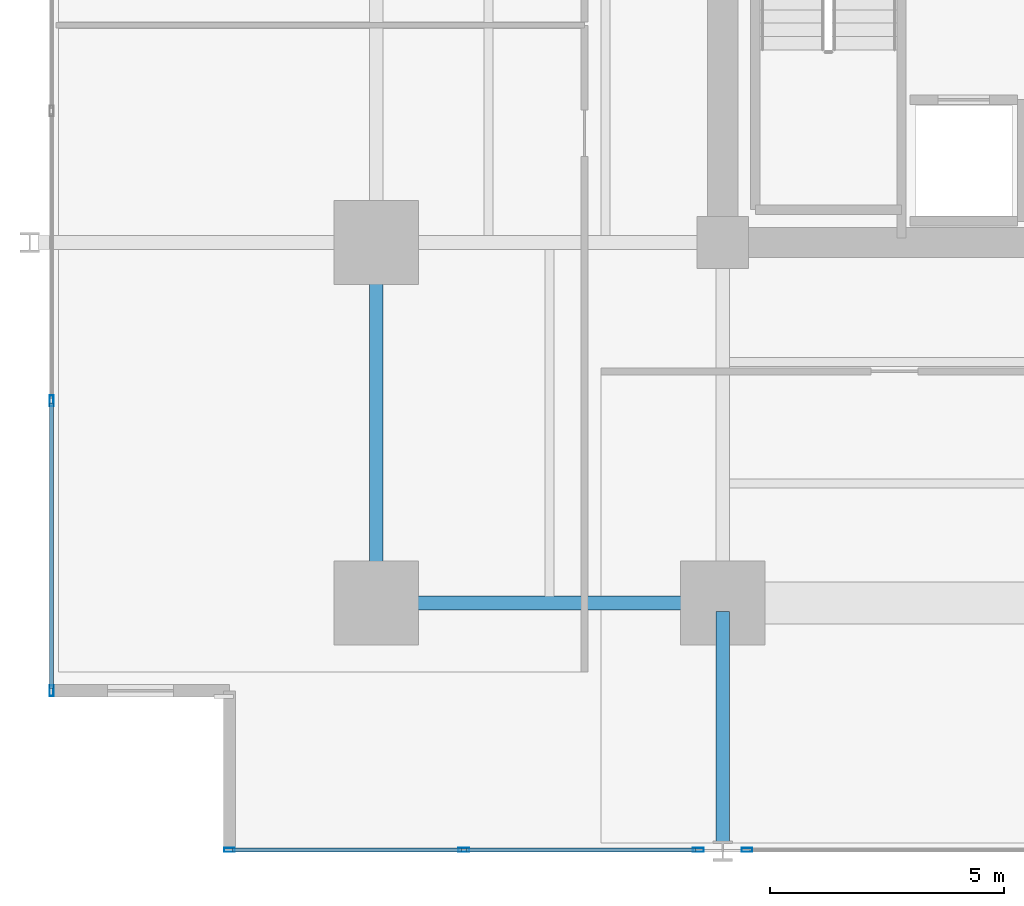
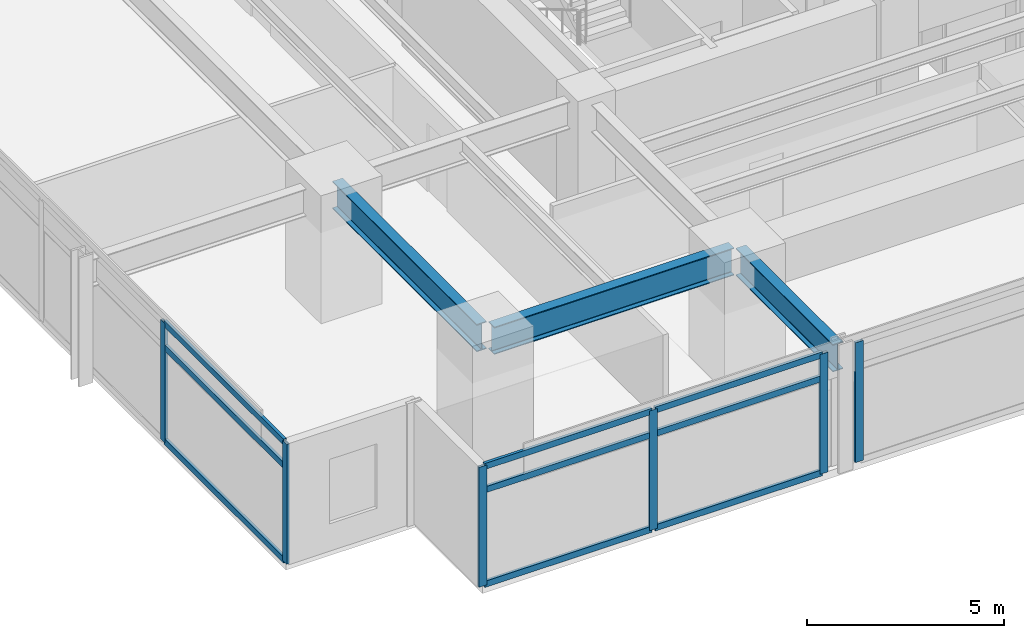
# One storey, part 2 of 22: 15 members, 3 beams, 3 elements without a shape of their own.
"""IFC4 building model written with IfcOpenShell, lengths in metres."""

import ifcopenshell
import ifcopenshell.guid

model = None  # the IFC model being written
_history = None  # IfcOwnerHistory: only IFC2X3 demands one
_inside = {}  # id of a spatial element -> (the spatial element, [elements in it])
_under = {}  # id of a project, library or spatial element -> (it, [spatial elements below it])
_declared = {}  # id of a project -> (the project, [libraries it declares])
_typed = {}  # id of a type object -> (the type object, [elements of that type])
_made_of = {}  # id of a material, layer set ... -> (it, [elements and type objects made of it])


def new_model(schema):
    """Start an empty IFC model of exactly this schema.

    Asked for "IFC4X3", IfcOpenShell would pick the latest addendum, in which some entities
    have other attributes; the version numbers below select the first issue.
    IFC2X3 requires an IfcOwnerHistory on every rooted entity: one is made here for all.
    """
    global model, _history
    if schema == "IFC4X3":
        model = ifcopenshell.file(schema_version=(4, 3, 0, 0))
    else:
        model = ifcopenshell.file(schema=schema)
    _inside.clear()
    _under.clear()
    _declared.clear()
    _typed.clear()
    _made_of.clear()
    _history = None
    if model.schema == "IFC2X3":
        org = make("IfcOrganization", Name="unknown")
        user = make(
            "IfcPersonAndOrganization",
            ThePerson=make("IfcPerson", FamilyName="unknown"),
            TheOrganization=org,
        )
        app = make(
            "IfcApplication",
            ApplicationDeveloper=org,
            Version="unknown",
            ApplicationFullName="unknown",
            ApplicationIdentifier="unknown",
        )
        _history = make(
            "IfcOwnerHistory",
            OwningUser=user,
            OwningApplication=app,
            ChangeAction="ADDED",
            CreationDate=0,
        )
    return model


def make(cls, **values):
    """One entity of the class cls with the attributes given. An attribute that is None is left unset."""
    return model.create_entity(
        cls, **{name: value for name, value in values.items() if value is not None}
    )


def rooted(cls, **values):
    """An entity with a GlobalId (a new one), such as an element, a storey or a relation."""
    return make(cls, GlobalId=ifcopenshell.guid.new(), OwnerHistory=_history, **values)


def si_unit(unit_type, name, prefix=None):
    """IfcSIUnit, for example si_unit("LENGTHUNIT", "METRE", prefix="MILLI")."""
    return make("IfcSIUnit", UnitType=unit_type, Prefix=prefix, Name=name)


def assignment(units):
    """IfcUnitAssignment: the units of a project."""
    return None if units is None else make("IfcUnitAssignment", Units=units)


def point(xyz):
    """IfcCartesianPoint."""
    return None if xyz is None else make("IfcCartesianPoint", Coordinates=xyz)


def direction(xyz):
    """IfcDirection."""
    return None if xyz is None else make("IfcDirection", DirectionRatios=xyz)


def frame(location, z_axis=None, x_axis=None):
    """IfcAxis2Placement3D, a coordinate frame: its origin and axes. An axis left out is left unset."""
    return make(
        "IfcAxis2Placement3D",
        Location=point(location),
        Axis=direction(z_axis),
        RefDirection=direction(x_axis),
    )


def frame_2d(location, x_axis=None):
    """IfcAxis2Placement2D, a coordinate frame in the plane: its origin and x axis."""
    return make(
        "IfcAxis2Placement2D", Location=point(location), RefDirection=direction(x_axis)
    )


def origin():
    """The frame at (0, 0, 0) with its axes left unset."""
    return frame((0.0, 0.0, 0.0))


def origin_2d():
    """The frame at (0, 0) in the plane with its x axis left unset."""
    return frame_2d((0.0, 0.0))


def place(relative_to, where):
    """IfcLocalPlacement: puts the frame where relative to a parent placement (None: the world)."""
    return make(
        "IfcLocalPlacement", PlacementRelTo=relative_to, RelativePlacement=where
    )


def context(
    kind, dimensions, precision=None, world=None, true_north=None, identifier=None
):
    """IfcGeometricRepresentationContext, for example the 3D "Model" context."""
    return make(
        "IfcGeometricRepresentationContext",
        ContextIdentifier=identifier,
        ContextType=kind,
        CoordinateSpaceDimension=dimensions,
        Precision=precision,
        WorldCoordinateSystem=world,
        TrueNorth=true_north,
    )


def subcontext(parent, identifier, kind, view, scale=None):
    """IfcGeometricRepresentationSubContext, for example "Body" below "Model"."""
    return make(
        "IfcGeometricRepresentationSubContext",
        ContextIdentifier=identifier,
        ContextType=kind,
        ParentContext=parent,
        TargetScale=scale,
        TargetView=view,
    )


def project(units=None, contexts=None):
    """IfcProject with its units and contexts."""
    return rooted(
        "IfcProject",
        Name="project",
        RepresentationContexts=contexts,
        UnitsInContext=assignment(units),
    )


def spatial(cls, under=None, at=None, **own):
    """A site, building, storey or space (cls), placed at a placement, below another one or the project."""
    s = rooted(cls, ObjectPlacement=at, **own)
    if under is not None:
        _under.setdefault(under.id(), (under, []))[1].append(s)
    return s


def profile(cls, at=None, kind="AREA", **sizes):
    """A parametric profile (cls). Its sizes go by their IFC names, for example OverallWidth=200.0."""
    return make(cls, ProfileType=kind, Position=at, **sizes)


def hollow_rectangle(**sizes):
    """IfcRectangleHollowProfileDef."""
    return profile("IfcRectangleHollowProfileDef", **sizes)


def i_section(**sizes):
    """IfcIShapeProfileDef."""
    return profile("IfcIShapeProfileDef", **sizes)


def extrude(swept, where, along, depth):
    """IfcExtrudedAreaSolid: the profile swept, set in the frame where, extruded along a direction by depth."""
    return make(
        "IfcExtrudedAreaSolid",
        SweptArea=swept,
        Position=where,
        ExtrudedDirection=direction(along),
        Depth=depth,
    )


def shape(context_of_items, identifier, shape_type, items):
    """IfcShapeRepresentation: the items that make up one representation, for example the "Body"."""
    return make(
        "IfcShapeRepresentation",
        ContextOfItems=context_of_items,
        RepresentationIdentifier=identifier,
        RepresentationType=shape_type,
        Items=items,
    )


def material(Name=None, Category=None):
    """IfcMaterial."""
    return make("IfcMaterial", Name=Name, Category=Category)


def material_profile(
    of_material, cross_section, Name=None, Category=None, Priority=None
):
    """IfcMaterialProfile: a cross section and its material."""
    return make(
        "IfcMaterialProfile",
        Name=Name,
        Material=of_material,
        Profile=cross_section,
        Priority=Priority,
        Category=Category,
    )


def profile_set(profiles, Name=None, composite=None):
    """IfcMaterialProfileSet."""
    return make(
        "IfcMaterialProfileSet",
        Name=Name,
        MaterialProfiles=profiles,
        CompositeProfile=composite,
    )


def made_of(thing, what):
    """Note that an element or type object is made of a material, layer set ...; save() writes the relation."""
    if what is not None:
        _made_of.setdefault(what.id(), (what, []))[1].append(thing)
    return thing


def type_object(cls, material=None, **own):
    """A type object (cls), such as IfcWallType, which elements share."""
    return made_of(rooted(cls, **own), material)


def element(
    cls,
    number,
    at=None,
    inside=None,
    cuts=None,
    type_object=None,
    material=None,
    context=None,
    identifier="Body",
    shape_type=None,
    held_by="IfcProductDefinitionShape",
    body=None,
    shapes=None,
    **own,
):
    """One element of the class cls, such as IfcWall. Its Tag is "e" and its number.

    at: its placement. inside: the storey or other place that contains it. cuts: it is an
    opening in that element (IfcRelVoidsElement). A single representation is given by context,
    identifier, shape_type and body (its items); several are given by shapes. held_by: the class
    of the entity that holds the representations. save() writes the other relations.
    """
    e = rooted(cls, Tag="e%d" % number, ObjectPlacement=at, **own)
    if body is not None:
        shapes = [shape(context, identifier, shape_type, body)]
    if shapes is not None:
        e.Representation = make(held_by, Representations=shapes)
    if inside is not None:
        _inside.setdefault(inside.id(), (inside, []))[1].append(e)
    if cuts is not None:
        rooted(
            "IfcRelVoidsElement", RelatingBuildingElement=cuts, RelatedOpeningElement=e
        )
    if type_object is not None:
        _typed.setdefault(type_object.id(), (type_object, []))[1].append(e)
    return made_of(e, material)


def aggregate(whole, parts):
    """IfcRelAggregates: a whole, such as a stair, and the parts it consists of."""
    return rooted("IfcRelAggregates", RelatingObject=whole, RelatedObjects=parts)


def save(model, path):
    """Write the relations noted so far, then the file.

    IfcRelAggregates (storeys below a building ...), IfcRelContainedInSpatialStructure (elements
    in a storey), IfcRelDefinesByType, IfcRelAssociatesMaterial and IfcRelDeclares: one each for
    every whole, place, type object, material and project.
    """
    for whole, parts in _under.values():
        aggregate(whole, parts)
    for where, things in _inside.values():
        rooted(
            "IfcRelContainedInSpatialStructure",
            RelatedElements=things,
            RelatingStructure=where,
        )
    for kind, things in _typed.values():
        rooted("IfcRelDefinesByType", RelatedObjects=things, RelatingType=kind)
    for what, things in _made_of.values():
        rooted("IfcRelAssociatesMaterial", RelatedObjects=things, RelatingMaterial=what)
    for by, libraries in _declared.values():
        rooted("IfcRelDeclares", RelatingContext=by, RelatedDefinitions=libraries)
    model.write(path)


model = new_model("IFC4")

# Units and contexts
model_context = context("Model", 3, precision=1e-05, world=origin(), true_north=direction((0.0, 1.0)))
body_context = subcontext(model_context, "Body", "Model", "MODEL_VIEW")
ifc_project = project(units=[si_unit("LENGTHUNIT", "METRE"), si_unit("AREAUNIT", "SQUARE_METRE"), si_unit("VOLUMEUNIT", "CUBIC_METRE"), si_unit("PLANEANGLEUNIT", "RADIAN"), si_unit("MASSUNIT", "GRAM", prefix="KILO")], contexts=[model_context])

# Site, building, storey
site_placement = place(None, origin())
site = spatial("IfcSite", under=ifc_project, at=site_placement, CompositionType="ELEMENT")
building_placement = place(site_placement, origin())
building = spatial("IfcBuilding", under=site, at=building_placement, Name="Kovane Verandah Tower", CompositionType="ELEMENT")
storey_placement = place(building_placement, frame((0.0, 0.0, 43.60009765625)))
storey = spatial("IfcBuildingStorey", under=building, at=storey_placement, Name="L09", CompositionType="ELEMENT", Elevation=43.60009765625)

# Beams
ifc_material_1 = material(Name="Steel S355", Category="steel")
ifc_material_profile_1 = material_profile(ifc_material_1, i_section(OverallWidth=0.293701171875, OverallDepth=0.850830078125, WebThickness=0.01611328125, FlangeThickness=0.02685546875, FilletRadius=0.017822265625, at=origin_2d()), Name="UB838x292x226")
ifc_profile_set_1 = profile_set([ifc_material_profile_1], Name="Steel S355")
beam_type = type_object("IfcBeamType", Name="BM-UB838x226", PredefinedType="BEAM", material=ifc_profile_set_1)
beam_1_placement = place(storey_placement, frame((21.780029296875, 10.800048828125, 3.33447265625), z_axis=(1.0, 0.0, 0.0), x_axis=(0.0, 1.0, 0.0)))
element("IfcBeam", 1, at=beam_1_placement, inside=storey, type_object=beam_type, Name="L09 Primary Tower Girder G-RS1", PredefinedType="BEAM", context=body_context, shape_type="SweptSolid", body=[
    extrude(i_section(OverallWidth=0.293701171875, OverallDepth=0.850830078125, WebThickness=0.01611328125, FlangeThickness=0.02685546875, FilletRadius=0.017822265625, at=origin_2d()), origin(), (0.0, 0.0, 1.0), 7.0400390625),
])
beam_2_placement = place(storey_placement, frame((21.60009765625, 10.97998046875, 3.33447265625), z_axis=(0.0, 1.0, 0.0), x_axis=(-1.0, 0.0, 0.0)))
element("IfcBeam", 2, at=beam_2_placement, inside=storey, type_object=beam_type, Name="L09 Primary Tower Girder G-RW1", PredefinedType="BEAM", context=body_context, shape_type="SweptSolid", body=[
    extrude(i_section(OverallWidth=0.293701171875, OverallDepth=0.850830078125, WebThickness=0.01611328125, FlangeThickness=0.02685546875, FilletRadius=0.017822265625, at=origin_2d()), origin(), (0.0, 0.0, 1.0), 7.340087890625),
])
beam_3_placement = place(storey_placement, frame((29.0, 10.6201171875, 3.33447265625), z_axis=(0.0, -1.0, 0.0), x_axis=(1.0, 0.0, 0.0)))
element("IfcBeam", 3, at=beam_3_placement, inside=storey, type_object=beam_type, Name="L09 Primary Tower Girder G-VS1", PredefinedType="BEAM", context=body_context, shape_type="SweptSolid", body=[
    extrude(i_section(OverallWidth=0.293701171875, OverallDepth=0.850830078125, WebThickness=0.01611328125, FlangeThickness=0.02685546875, FilletRadius=0.017822265625, at=origin_2d()), origin(), (0.0, 0.0, 1.0), 4.940185546875),
])

# Curtain wall, members
ifc_material_2 = material(Name="Champagne Anodised Aluminium Frame with Low-E Clear Laminated Glass", Category="aluminium")
curtain_wall_type = type_object("IfcCurtainWallType", Name="CW-SYS-02-LOW", PredefinedType="NOTDEFINED", material=ifc_material_2)
curtain_wall_1_placement = place(storey_placement, origin())
curtain_wall_1 = element("IfcCurtainWall", 4, at=curtain_wall_1_placement, inside=storey, type_object=curtain_wall_type, Name="L09 S Unitised Curtain Wall-1", PredefinedType="NOTDEFINED")
ifc_material_3 = material(Name="Champagne Anodised Aluminium 6063-T6", Category="aluminium")
ifc_material_profile_2 = material_profile(ifc_material_3, hollow_rectangle(XDim=0.0849609375, YDim=0.22998046875, WallThickness=0.00390625, at=origin_2d()), Name="AL85x230x4")
ifc_profile_set_2 = profile_set([ifc_material_profile_2], Name="Champagne Anodised Aluminium 6063-T6")
member_type_1 = type_object("IfcMemberType", Name="CW-MUL-85x230", PredefinedType="MULLION", material=ifc_profile_set_2)
member_1_placement = place(storey_placement, frame((18.467041015625, 5.52685546875, 0.02001953125), z_axis=(0.0, 0.0, 1.0), x_axis=(0.0, -1.0, 0.0)))
member_1 = element("IfcMember", 5, at=member_1_placement, type_object=member_type_1, Name="L09 S Unitised Curtain Wall-1 Mullion 1", PredefinedType="MULLION", context=body_context, shape_type="SweptSolid", body=[
    extrude(hollow_rectangle(XDim=0.0849609375, YDim=0.22998046875, WallThickness=0.00390625, at=origin_2d()), origin(), (0.0, 0.0, 1.0), 3.719970703125),
])
member_2_placement = place(storey_placement, frame((23.473388671875, 5.52685546875, 0.02001953125), z_axis=(0.0, 0.0, 1.0), x_axis=(0.0, -1.0, 0.0)))
member_2 = element("IfcMember", 6, at=member_2_placement, type_object=member_type_1, Name="L09 S Unitised Curtain Wall-1 Mullion 2", PredefinedType="MULLION", context=body_context, shape_type="SweptSolid", body=[
    extrude(hollow_rectangle(XDim=0.0849609375, YDim=0.22998046875, WallThickness=0.00390625, at=origin_2d()), origin(), (0.0, 0.0, 1.0), 3.719970703125),
])
member_3_placement = place(storey_placement, frame((28.47998046875, 5.52685546875, 0.02001953125), z_axis=(0.0, 0.0, 1.0), x_axis=(0.0, -1.0, 0.0)))
member_3 = element("IfcMember", 7, at=member_3_placement, type_object=member_type_1, Name="L09 S Unitised Curtain Wall-1 Mullion 3", PredefinedType="MULLION", context=body_context, shape_type="SweptSolid", body=[
    extrude(hollow_rectangle(XDim=0.0849609375, YDim=0.22998046875, WallThickness=0.00390625, at=origin_2d()), origin(), (0.0, 0.0, 1.0), 3.719970703125),
])

# Curtain wall, member
curtain_wall_2_placement = place(storey_placement, origin())
curtain_wall_2 = element("IfcCurtainWall", 8, at=curtain_wall_2_placement, inside=storey, type_object=curtain_wall_type, Name="L09 S Unitised Curtain Wall-2", PredefinedType="NOTDEFINED")
member_4_placement = place(storey_placement, frame((29.52001953125, 5.52685546875, 0.02001953125), z_axis=(0.0, 0.0, 1.0), x_axis=(0.0, -1.0, 0.0)))
member_4 = element("IfcMember", 9, at=member_4_placement, type_object=member_type_1, Name="L09 S Unitised Curtain Wall-2 Mullion 1", PredefinedType="MULLION", context=body_context, shape_type="SweptSolid", body=[
    extrude(hollow_rectangle(XDim=0.0849609375, YDim=0.22998046875, WallThickness=0.00390625, at=origin_2d()), origin(), (0.0, 0.0, 1.0), 3.719970703125),
])
aggregate(curtain_wall_2, [member_4])

# Curtain wall, members
curtain_wall_3_placement = place(storey_placement, origin())
curtain_wall_3 = element("IfcCurtainWall", 10, at=curtain_wall_3_placement, inside=storey, type_object=curtain_wall_type, Name="L09 W Unitised Curtain Wall", PredefinedType="NOTDEFINED")
member_5_placement = place(storey_placement, frame((14.6669921875, 15.117919921875, 0.02001953125), z_axis=(0.0, 0.0, 1.0), x_axis=(-1.0, 0.0, 0.0)))
member_5 = element("IfcMember", 11, at=member_5_placement, type_object=member_type_1, Name="L09 W Unitised Curtain Wall Mullion 6", PredefinedType="MULLION", context=body_context, shape_type="SweptSolid", body=[
    extrude(hollow_rectangle(XDim=0.0849609375, YDim=0.22998046875, WallThickness=0.00390625, at=origin_2d()), origin(), (0.0, 0.0, 1.0), 3.719970703125),
])
member_6_placement = place(storey_placement, frame((14.6669921875, 8.927001953125, 0.02001953125), z_axis=(0.0, 0.0, 1.0), x_axis=(-1.0, 0.0, 0.0)))
member_6 = element("IfcMember", 12, at=member_6_placement, type_object=member_type_1, Name="L09 W Unitised Curtain Wall Mullion 7", PredefinedType="MULLION", context=body_context, shape_type="SweptSolid", body=[
    extrude(hollow_rectangle(XDim=0.0849609375, YDim=0.22998046875, WallThickness=0.00390625, at=origin_2d()), origin(), (0.0, 0.0, 1.0), 3.719970703125),
])

# Member
ifc_material_profile_3 = material_profile(ifc_material_3, hollow_rectangle(XDim=0.0849609375, YDim=0.18994140625, WallThickness=0.00390625, at=origin_2d()), Name="AL85x190x4")
ifc_profile_set_3 = profile_set([ifc_material_profile_3], Name="Champagne Anodised Aluminium 6063-T6")
member_type_2 = type_object("IfcMemberType", Name="CW-TRN-85x190", PredefinedType="USERDEFINED", material=ifc_profile_set_3)
member_7_placement = place(storey_placement, frame((18.51708984375, 5.52685546875, 0.0498046875), z_axis=(1.0, 0.0, 0.0), x_axis=(0.0, 1.0, 0.0)))
member_7 = element("IfcMember", 13, at=member_7_placement, type_object=member_type_2, Name="L09 S Unitised Curtain Wall-1 Transom TB Bay 1", ObjectType="TRANSOM", PredefinedType="USERDEFINED", context=body_context, shape_type="SweptSolid", body=[
    extrude(hollow_rectangle(XDim=0.0849609375, YDim=0.18994140625, WallThickness=0.00390625, at=origin_2d()), origin(), (0.0, 0.0, 1.0), 4.906494140625),
])

member_8_placement = place(storey_placement, frame((18.51708984375, 5.52685546875, 2.97998046875), z_axis=(1.0, 0.0, 0.0), x_axis=(0.0, 1.0, 0.0)))
member_8 = element("IfcMember", 14, at=member_8_placement, type_object=member_type_2, Name="L09 S Unitised Curtain Wall-1 Transom TM Bay 1", ObjectType="TRANSOM", PredefinedType="USERDEFINED", context=body_context, shape_type="SweptSolid", body=[
    extrude(hollow_rectangle(XDim=0.0849609375, YDim=0.18994140625, WallThickness=0.00390625, at=origin_2d()), origin(), (0.0, 0.0, 1.0), 4.906494140625),
])

member_9_placement = place(storey_placement, frame((18.51708984375, 5.52685546875, 3.7099609375), z_axis=(1.0, 0.0, 0.0), x_axis=(0.0, 1.0, 0.0)))
member_9 = element("IfcMember", 15, at=member_9_placement, type_object=member_type_2, Name="L09 S Unitised Curtain Wall-1 Transom TT Bay 1", ObjectType="TRANSOM", PredefinedType="USERDEFINED", context=body_context, shape_type="SweptSolid", body=[
    extrude(hollow_rectangle(XDim=0.0849609375, YDim=0.18994140625, WallThickness=0.00390625, at=origin_2d()), origin(), (0.0, 0.0, 1.0), 4.906494140625),
])

member_10_placement = place(storey_placement, frame((23.5234375, 5.52685546875, 0.0498046875), z_axis=(1.0, 0.0, 0.0), x_axis=(0.0, 1.0, 0.0)))
member_10 = element("IfcMember", 16, at=member_10_placement, type_object=member_type_2, Name="L09 S Unitised Curtain Wall-1 Transom TB Bay 2", ObjectType="TRANSOM", PredefinedType="USERDEFINED", context=body_context, shape_type="SweptSolid", body=[
    extrude(hollow_rectangle(XDim=0.0849609375, YDim=0.18994140625, WallThickness=0.00390625, at=origin_2d()), origin(), (0.0, 0.0, 1.0), 4.906494140625),
])

member_11_placement = place(storey_placement, frame((23.5234375, 5.52685546875, 2.97998046875), z_axis=(1.0, 0.0, 0.0), x_axis=(0.0, 1.0, 0.0)))
member_11 = element("IfcMember", 17, at=member_11_placement, type_object=member_type_2, Name="L09 S Unitised Curtain Wall-1 Transom TM Bay 2", ObjectType="TRANSOM", PredefinedType="USERDEFINED", context=body_context, shape_type="SweptSolid", body=[
    extrude(hollow_rectangle(XDim=0.0849609375, YDim=0.18994140625, WallThickness=0.00390625, at=origin_2d()), origin(), (0.0, 0.0, 1.0), 4.906494140625),
])

member_12_placement = place(storey_placement, frame((23.5234375, 5.52685546875, 3.7099609375), z_axis=(1.0, 0.0, 0.0), x_axis=(0.0, 1.0, 0.0)))
member_12 = element("IfcMember", 18, at=member_12_placement, type_object=member_type_2, Name="L09 S Unitised Curtain Wall-1 Transom TT Bay 2", ObjectType="TRANSOM", PredefinedType="USERDEFINED", context=body_context, shape_type="SweptSolid", body=[
    extrude(hollow_rectangle(XDim=0.0849609375, YDim=0.18994140625, WallThickness=0.00390625, at=origin_2d()), origin(), (0.0, 0.0, 1.0), 4.906494140625),
])

aggregate(curtain_wall_1, [member_1, member_2, member_3, member_7, member_8, member_9, member_10, member_11, member_12])

member_13_placement = place(storey_placement, frame((14.6669921875, 15.06787109375, 0.0498046875), z_axis=(0.0, -1.0, 0.0), x_axis=(1.0, 0.0, 0.0)))
member_13 = element("IfcMember", 19, at=member_13_placement, type_object=member_type_2, Name="L09 W Unitised Curtain Wall Transom TB Bay 6", ObjectType="TRANSOM", PredefinedType="USERDEFINED", context=body_context, shape_type="SweptSolid", body=[
    extrude(hollow_rectangle(XDim=0.0849609375, YDim=0.18994140625, WallThickness=0.00390625, at=origin_2d()), origin(), (0.0, 0.0, 1.0), 6.091064453125),
])

member_14_placement = place(storey_placement, frame((14.6669921875, 15.06787109375, 2.97998046875), z_axis=(0.0, -1.0, 0.0), x_axis=(1.0, 0.0, 0.0)))
member_14 = element("IfcMember", 20, at=member_14_placement, type_object=member_type_2, Name="L09 W Unitised Curtain Wall Transom TM Bay 6", ObjectType="TRANSOM", PredefinedType="USERDEFINED", context=body_context, shape_type="SweptSolid", body=[
    extrude(hollow_rectangle(XDim=0.0849609375, YDim=0.18994140625, WallThickness=0.00390625, at=origin_2d()), origin(), (0.0, 0.0, 1.0), 6.091064453125),
])

member_15_placement = place(storey_placement, frame((14.6669921875, 15.06787109375, 3.7099609375), z_axis=(0.0, -1.0, 0.0), x_axis=(1.0, 0.0, 0.0)))
member_15 = element("IfcMember", 21, at=member_15_placement, type_object=member_type_2, Name="L09 W Unitised Curtain Wall Transom TT Bay 6", ObjectType="TRANSOM", PredefinedType="USERDEFINED", context=body_context, shape_type="SweptSolid", body=[
    extrude(hollow_rectangle(XDim=0.0849609375, YDim=0.18994140625, WallThickness=0.00390625, at=origin_2d()), origin(), (0.0, 0.0, 1.0), 6.091064453125),
])

aggregate(curtain_wall_3, [member_5, member_6, member_13, member_14, member_15])

save(model, "model.ifc")
